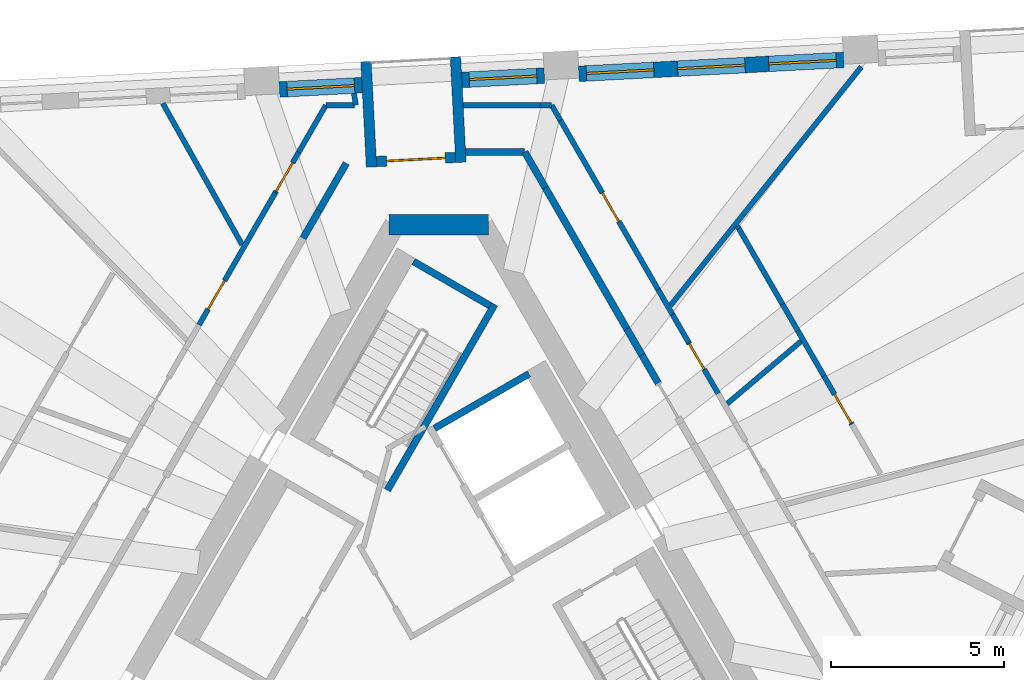
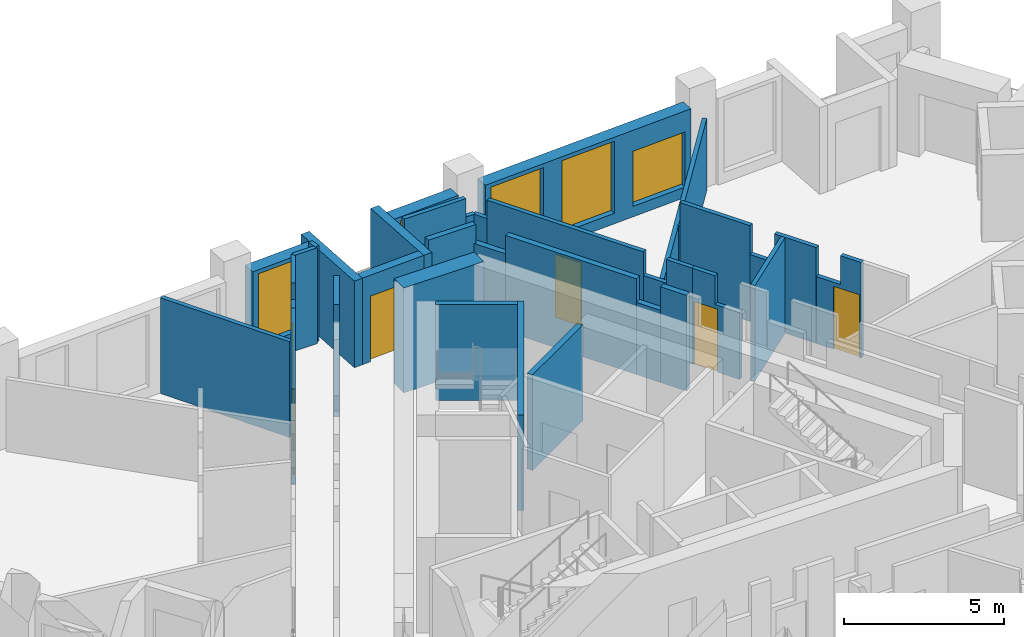
# One storey, part 7 of 12: 37 walls, 6 doors, 5 windows, 11 openings.
"""IFC4 building model written with IfcOpenShell, lengths in metres."""

from ifc_helpers import new_model, si_unit, direction, frame, frame_2d, origin, place, context, subcontext, project, spatial, polyline, rectangle, outline, extrude, material, layer, layer_set, type_object, element, fill, save


model = new_model("IFC4")

# Units and contexts
model_context = context("Model", 3, precision=1e-05, world=origin(), true_north=direction((0.0, 1.0)))
body_context = subcontext(model_context, "Body", "Model", "MODEL_VIEW")
ifc_project = project(units=[si_unit("LENGTHUNIT", "METRE"), si_unit("AREAUNIT", "SQUARE_METRE"), si_unit("VOLUMEUNIT", "CUBIC_METRE"), si_unit("PLANEANGLEUNIT", "RADIAN"), si_unit("MASSUNIT", "GRAM", prefix="KILO")], contexts=[model_context])

# Site, building, storey
site_placement = place(None, origin())
site = spatial("IfcSite", under=ifc_project, at=site_placement, CompositionType="ELEMENT")
building_placement = place(site_placement, origin())
building = spatial("IfcBuilding", under=site, at=building_placement, Name="Tramontana Tower", CompositionType="ELEMENT")
storey_placement = place(building_placement, frame((0.0, 0.0, 278.39990234375)))
storey = spatial("IfcBuildingStorey", under=building, at=storey_placement, Name="L65", CompositionType="ELEMENT", Elevation=278.39990234375)

# Walls
ifc_material_1 = material(Name="Concrete 70 MPa", Category="concrete")
ifc_layer_1 = layer(ifc_material_1, 0.60009765625)
ifc_layer_set_1 = layer_set([ifc_layer_1], Name="Core wall 600 70 MPa")
wall_type_1 = type_object("IfcWallType", Name="Core wall 600 70 MPa", PredefinedType="SHEAR", material=ifc_layer_set_1)
wall_1_placement = place(storey_placement, frame((1.443359375, 10.699951171875, 0.0), z_axis=(0.0, 0.0, 1.0), x_axis=(-1.0, 0.0, 0.0)))
element("IfcWall", 1, at=wall_1_placement, inside=storey, type_object=wall_type_1, Name="Core wall C0 L65", PredefinedType="SHEAR", context=body_context, shape_type="SweptSolid", body=[
    extrude(rectangle(XDim=2.88671875, YDim=0.60009765625, at=frame_2d((1.443359375, 0.0))), origin(), (0.0, 0.0, 1.0), 4.0),
])
ifc_material_2 = material(Name="Blockwork", Category="masonry")
ifc_layer_2 = layer(ifc_material_2, 0.199951171875)
ifc_layer_set_2 = layer_set([ifc_layer_2], Name="ENTRY WALL 200")
wall_type_2 = type_object("IfcWallType", Name="ENTRY WALL 200", PredefinedType="SOLIDWALL", material=ifc_layer_set_2)
wall_2_placement = place(storey_placement, frame((-3.92041015625, 10.309814453125, 0.0), z_axis=(0.0, 0.0, 1.0), x_axis=(0.500102178127, 0.865966403178, 0.0)))
element("IfcWall", 2, at=wall_2_placement, inside=storey, type_object=wall_type_2, Name="Wall v70-ew3-10", PredefinedType="SOLIDWALL", context=body_context, shape_type="SweptSolid", body=[
    extrude(rectangle(XDim=0.927490234375, YDim=0.199951171875, at=frame_2d((0.4638671875, 0.0))), origin(), (0.0, 0.0, 1.0), 2.9501953125),
])
wall_3_placement = place(storey_placement, frame((-3.45654296875, 11.113037109375, 0.0), z_axis=(0.0, 0.0, 1.0), x_axis=(0.500036592568, 0.866004276025, 0.0)))
element("IfcWall", 3, at=wall_3_placement, inside=storey, type_object=wall_type_2, Name="Wall v70-ew3-11", PredefinedType="SOLIDWALL", context=body_context, shape_type="SweptSolid", body=[
    extrude(rectangle(XDim=1.56982421875, YDim=0.199951171875, at=frame_2d((0.784912109375, 0.0))), origin(), (0.0, 0.0, 1.0), 3.650146484375),
])
wall_4_placement = place(storey_placement, frame((0.774658203125, 12.800048828125, 0.0), z_axis=(0.0, 0.0, 1.0), x_axis=(1.0, 0.0, 0.0)))
element("IfcWall", 4, at=wall_4_placement, inside=storey, type_object=wall_type_2, Name="Wall v70-ew4", PredefinedType="SOLIDWALL", context=body_context, shape_type="SweptSolid", body=[
    extrude(rectangle(XDim=1.7080078125, YDim=0.199951171875, at=frame_2d((0.85400390625, 0.0))), origin(), (0.0, 0.0, 1.0), 3.650146484375),
])
wall_5_placement = place(storey_placement, frame((2.482666015625, 12.800048828125, 0.0), z_axis=(0.0, 0.0, 1.0), x_axis=(0.499983247966, -0.86603507536, 0.0)))
element("IfcWall", 5, at=wall_5_placement, inside=storey, type_object=wall_type_2, Name="Wall v70-ew5-0", PredefinedType="SOLIDWALL", context=body_context, shape_type="SweptSolid", body=[
    extrude(rectangle(XDim=1.1884765625, YDim=0.199951171875, at=frame_2d((0.59423828125, 0.0))), origin(), (0.0, 0.0, 1.0), 2.9501953125),
])
wall_6_placement = place(storey_placement, frame((3.076904296875, 11.770751953125, 0.0), z_axis=(0.0, 0.0, 1.0), x_axis=(0.500007683529, -0.866020967652, 0.0)))
element("IfcWall", 6, at=wall_6_placement, inside=storey, type_object=wall_type_2, Name="Wall v70-ew5-1", PredefinedType="SOLIDWALL", context=body_context, shape_type="SweptSolid", body=[
    extrude(rectangle(XDim=4.71728515625, YDim=0.199951171875, at=frame_2d((2.358642578125, 0.0))), origin(), (0.0, 0.0, 1.0), 3.650146484375),
])
wall_7_placement = place(storey_placement, frame((5.435546875, 7.685546875, 0.0), z_axis=(0.0, 0.0, 1.0), x_axis=(0.500056482814, -0.86599279096, 0.0)))
element("IfcWall", 7, at=wall_7_placement, inside=storey, type_object=wall_type_2, Name="Wall v70-ew5-2", PredefinedType="SOLIDWALL", context=body_context, shape_type="SweptSolid", body=[
    extrude(rectangle(XDim=0.86474609375, YDim=0.199951171875, at=frame_2d((0.432373046875, 0.0))), origin(), (0.0, 0.0, 1.0), 2.75),
])
wall_8_placement = place(storey_placement, frame((5.867919921875, 6.936767578125, 0.0), z_axis=(0.0, 0.0, 1.0), x_axis=(0.499857464265, -0.866107681191, 0.0)))
element("IfcWall", 8, at=wall_8_placement, inside=storey, type_object=wall_type_2, Name="Wall v70-ew5-3", PredefinedType="SOLIDWALL", context=body_context, shape_type="SweptSolid", body=[
    extrude(rectangle(XDim=0.939208984375, YDim=0.199951171875, at=frame_2d((0.4697265625, 0.0))), origin(), (0.0, 0.0, 1.0), 3.650146484375),
])

# Wall, openings, windows
ifc_material_3 = material(Name="Precast concrete 60 MPa", Category="concrete")
ifc_layer_3 = layer(ifc_material_3, 0.449951171875)
ifc_layer_set_3 = layer_set([ifc_layer_3], Name="Precast concrete 60 MPa, 450 mm")
wall_type_3 = type_object("IfcWallType", Name="EW1 Stone-faced precast wall 450", PredefinedType="SOLIDWALL", material=ifc_layer_set_3)
wall_9_placement = place(storey_placement, frame((11.697265625, 15.45849609375, 0.0), z_axis=(0.0, 0.0, 1.0), x_axis=(-0.998628023429, -0.052364786088, 0.0)))
wall_9 = element("IfcWall", 9, at=wall_9_placement, inside=storey, type_object=wall_type_3, Name="External wall L65 face 2 bay 2", PredefinedType="SOLIDWALL", context=body_context, shape_type="SweptSolid", body=[
    extrude(rectangle(XDim=7.66015625, YDim=0.449951171875, at=frame_2d((3.830078125, 0.0))), origin(), (0.0, 0.0, 1.0), 3.300048828125),
])
opening_1_placement = place(wall_9_placement, frame((0.21826171875, 0.0, 0.39990234375)))
opening_1 = element("IfcOpeningElement", 10, at=opening_1_placement, cuts=wall_9, Name="Opening M3L", PredefinedType="OPENING", context=body_context, shape_type="SweptSolid", body=[
    extrude(rectangle(XDim=1.949951171875, YDim=2.10009765625, at=frame_2d((0.97509765625, 1.050048828125))), frame((0.0, 0.23486328125, 0.0), z_axis=(0.0, -1.0, 0.0), x_axis=(1.0, 0.0, 0.0)), (0.0, 0.0, 1.0), 0.469970703125),
])
opening_2_placement = place(wall_9_placement, frame((2.855224609375, 0.0, 0.39990234375)))
opening_2 = element("IfcOpeningElement", 11, at=opening_2_placement, cuts=wall_9, Name="Opening M3", PredefinedType="OPENING", context=body_context, shape_type="SweptSolid", body=[
    extrude(rectangle(XDim=1.949951171875, YDim=2.75, at=frame_2d((0.97509765625, 1.375))), frame((0.0, 0.23486328125, 0.0), z_axis=(0.0, -1.0, 0.0), x_axis=(1.0, 0.0, 0.0)), (0.0, 0.0, 1.0), 0.469970703125),
])
opening_3_placement = place(wall_9_placement, frame((5.491943359375, 0.0, 0.39990234375)))
opening_3 = element("IfcOpeningElement", 12, at=opening_3_placement, cuts=wall_9, Name="Opening M3", PredefinedType="OPENING", context=body_context, shape_type="SweptSolid", body=[
    extrude(rectangle(XDim=1.949951171875, YDim=2.75, at=frame_2d((0.97509765625, 1.375))), frame((0.0, 0.23486328125, 0.0), z_axis=(0.0, -1.0, 0.0), x_axis=(1.0, 0.0, 0.0)), (0.0, 0.0, 1.0), 0.469970703125),
])
ifc_material_4 = material(Name="Aluminum frame, double glazing unit", Category="aluminium")
window_type_1 = type_object("IfcWindowType", Name="M3 Window 1.95 x 2.75", PartitioningType="SINGLE_PANEL", PredefinedType="WINDOW", material=ifc_material_4)
window_1_placement = place(opening_2_placement, origin())
window_1 = element("IfcWindow", 13, at=window_1_placement, inside=storey, type_object=window_type_1, Name="Window M3 L65 face 2 module 5", OverallHeight=2.75, OverallWidth=1.949951171875, PartitioningType="SINGLE_PANEL", PredefinedType="WINDOW", context=body_context, shape_type="SweptSolid", body=[
    extrude(rectangle(XDim=1.949951171875, YDim=2.75, at=frame_2d((0.97509765625, 1.375))), frame((0.0, 0.030029296875, 0.0), z_axis=(0.0, -1.0, 0.0), x_axis=(1.0, 0.0, 0.0)), (0.0, 0.0, 1.0), 0.06005859375),
])
fill(opening_2, window_1)
window_2_placement = place(opening_3_placement, origin())
window_2 = element("IfcWindow", 14, at=window_2_placement, inside=storey, type_object=window_type_1, Name="Window M3 L65 face 2 module 6", OverallHeight=2.75, OverallWidth=1.949951171875, PartitioningType="SINGLE_PANEL", PredefinedType="WINDOW", context=body_context, shape_type="SweptSolid", body=[
    extrude(rectangle(XDim=1.949951171875, YDim=2.75, at=frame_2d((0.97509765625, 1.375))), frame((0.0, 0.030029296875, 0.0), z_axis=(0.0, -1.0, 0.0), x_axis=(1.0, 0.0, 0.0)), (0.0, 0.0, 1.0), 0.06005859375),
])
fill(opening_3, window_2)
ifc_material_5 = material(Name="Aluminum frame, double glazing unit", Category="aluminium")
window_type_2 = type_object("IfcWindowType", Name="M3L Window 1.95 x 2.1", PartitioningType="SINGLE_PANEL", PredefinedType="WINDOW", material=ifc_material_5)
window_3_placement = place(opening_1_placement, origin())
window_3 = element("IfcWindow", 15, at=window_3_placement, inside=storey, type_object=window_type_2, Name="Window M3L L65 face 2 module 4", OverallHeight=2.10009765625, OverallWidth=1.949951171875, PartitioningType="SINGLE_PANEL", PredefinedType="WINDOW", context=body_context, shape_type="SweptSolid", body=[
    extrude(rectangle(XDim=1.949951171875, YDim=2.10009765625, at=frame_2d((0.97509765625, 1.050048828125))), frame((0.0, 0.030029296875, 0.0), z_axis=(0.0, -1.0, 0.0), x_axis=(1.0, 0.0, 0.0)), (0.0, 0.0, 1.0), 0.06005859375),
])
fill(opening_1, window_3)

# Wall, opening, window
wall_10_placement = place(storey_placement, frame((3.049072265625, 15.005126953125, 0.0), z_axis=(0.0, 0.0, 1.0), x_axis=(-0.998627701279, -0.052370929331, 0.0)))
wall_10 = element("IfcWall", 16, at=wall_10_placement, inside=storey, type_object=wall_type_3, Name="External wall L65 face 2 bay 3", PredefinedType="SOLIDWALL", context=body_context, shape_type="SweptSolid", body=[
    extrude(rectangle(XDim=2.38671875, YDim=0.449951171875, at=frame_2d((1.193359375, 0.0))), origin(), (0.0, 0.0, 1.0), 3.300048828125),
])
opening_4_placement = place(wall_10_placement, frame((0.21826171875, 0.0, 0.39990234375)))
opening_4 = element("IfcOpeningElement", 17, at=opening_4_placement, cuts=wall_10, Name="Opening M3", PredefinedType="OPENING", context=body_context, shape_type="SweptSolid", body=[
    extrude(rectangle(XDim=1.949951171875, YDim=2.75, at=frame_2d((0.97509765625, 1.375))), frame((0.0, 0.23486328125, 0.0), z_axis=(0.0, -1.0, 0.0), x_axis=(1.0, 0.0, 0.0)), (0.0, 0.0, 1.0), 0.469970703125),
])
window_4_placement = place(opening_4_placement, origin())
window_4 = element("IfcWindow", 18, at=window_4_placement, inside=storey, type_object=window_type_1, Name="Window M3 L65 face 2 module 7", OverallHeight=2.75, OverallWidth=1.949951171875, PartitioningType="SINGLE_PANEL", PredefinedType="WINDOW", context=body_context, shape_type="SweptSolid", body=[
    extrude(rectangle(XDim=1.949951171875, YDim=2.75, at=frame_2d((0.97509765625, 1.375))), frame((0.0, 0.030029296875, 0.0), z_axis=(0.0, -1.0, 0.0), x_axis=(1.0, 0.0, 0.0)), (0.0, 0.0, 1.0), 0.06005859375),
])
fill(opening_4, window_4)

wall_11_placement = place(storey_placement, frame((-2.21728515625, 14.729248046875, 0.0), z_axis=(0.0, 0.0, 1.0), x_axis=(-0.998627701279, -0.052370929331, 0.0)))
wall_11 = element("IfcWall", 19, at=wall_11_placement, inside=storey, type_object=wall_type_3, Name="External wall L65 face 2 bay 3", PredefinedType="SOLIDWALL", context=body_context, shape_type="SweptSolid", body=[
    extrude(rectangle(XDim=2.38671875, YDim=0.449951171875, at=frame_2d((1.193359375, 0.0))), origin(), (0.0, 0.0, 1.0), 3.300048828125),
])
opening_5_placement = place(wall_11_placement, frame((0.21826171875, 0.0, 0.39990234375)))
opening_5 = element("IfcOpeningElement", 20, at=opening_5_placement, cuts=wall_11, Name="Opening M3", PredefinedType="OPENING", context=body_context, shape_type="SweptSolid", body=[
    extrude(rectangle(XDim=1.949951171875, YDim=2.75, at=frame_2d((0.97509765625, 1.375))), frame((0.0, 0.23486328125, 0.0), z_axis=(0.0, -1.0, 0.0), x_axis=(1.0, 0.0, 0.0)), (0.0, 0.0, 1.0), 0.469970703125),
])
window_5_placement = place(opening_5_placement, origin())
window_5 = element("IfcWindow", 21, at=window_5_placement, inside=storey, type_object=window_type_1, Name="Window M3 L65 face 2 module 9", OverallHeight=2.75, OverallWidth=1.949951171875, PartitioningType="SINGLE_PANEL", PredefinedType="WINDOW", context=body_context, shape_type="SweptSolid", body=[
    extrude(rectangle(XDim=1.949951171875, YDim=2.75, at=frame_2d((0.97509765625, 1.375))), frame((0.0, 0.030029296875, 0.0), z_axis=(0.0, -1.0, 0.0), x_axis=(1.0, 0.0, 0.0)), (0.0, 0.0, 1.0), 0.06005859375),
])
fill(opening_5, window_5)

# Wall, opening, door
ifc_material_6 = material(Name="Precast concrete 60 MPa", Category="concrete")
ifc_layer_4 = layer(ifc_material_6, 0.300048828125)
ifc_layer_set_4 = layer_set([ifc_layer_4], Name="LW1 Stone-faced loggia wall 300")
wall_type_4 = type_object("IfcWallType", Name="LW1 Stone-faced loggia wall 300", PredefinedType="SOLIDWALL", material=ifc_layer_set_4)
wall_12_placement = place(storey_placement, frame((0.482421875, 12.642578125, 0.0), z_axis=(0.0, 0.0, 1.0), x_axis=(-0.998630775221, -0.052312281362, 0.0)))
wall_12 = element("IfcWall", 22, at=wall_12_placement, inside=storey, type_object=wall_type_4, Name="Loggia wall L65 G7S2.7", PredefinedType="SOLIDWALL", context=body_context, shape_type="SweptSolid", body=[
    extrude(rectangle(XDim=2.286865234375, YDim=0.300048828125, at=frame_2d((1.1435546875, 0.0))), origin(), (0.0, 0.0, 1.0), 3.300048828125),
])
opening_6_placement = place(wall_12_placement, frame((0.29345703125, 0.0, 0.0)))
opening_6 = element("IfcOpeningElement", 23, at=opening_6_placement, cuts=wall_12, Name="Opening BD-7S2-07", PredefinedType="OPENING", context=body_context, shape_type="SweptSolid", body=[
    extrude(rectangle(XDim=1.699951171875, YDim=2.5, at=frame_2d((0.85009765625, 1.25))), frame((0.0, 0.159912109375, 0.0), z_axis=(0.0, -1.0, 0.0), x_axis=(1.0, 0.0, 0.0)), (0.0, 0.0, 1.0), 0.320068359375),
])
ifc_material_7 = material(Name="Aluminum frame, double glazing unit", Category="aluminium")
door_type_1 = type_object("IfcDoorType", Name="BD3 Sliding door 1.7 x 2.5", OperationType="SLIDING_TO_LEFT", PredefinedType="DOOR", material=ifc_material_7)
door_1_placement = place(opening_6_placement, origin())
door_1 = element("IfcDoor", 24, at=door_1_placement, inside=storey, type_object=door_type_1, Name="Loggia door L65 G7S2.7", OperationType="SLIDING_TO_LEFT", OverallHeight=2.5, OverallWidth=1.699951171875, PredefinedType="DOOR", context=body_context, shape_type="SweptSolid", body=[
    extrude(rectangle(XDim=1.699951171875, YDim=2.5, at=frame_2d((0.85009765625, 1.25))), frame((0.0, 0.02490234375, 0.0), z_axis=(0.0, -1.0, 0.0), x_axis=(1.0, 0.0, 0.0)), (0.0, 0.0, 1.0), 0.050048828125),
])
fill(opening_6, door_1)

# Walls
wall_13_placement = place(storey_placement, frame((0.48046875, 15.54638671875, 0.0), z_axis=(0.0, 0.0, 1.0), x_axis=(0.052352956549, -0.998628643661, 0.0)))
element("IfcWall", 25, at=wall_13_placement, inside=storey, type_object=wall_type_4, Name="Loggia return L65 G7S2.7a", PredefinedType="SOLIDWALL", context=body_context, shape_type="SweptSolid", body=[
    extrude(rectangle(XDim=3.0498046875, YDim=0.300048828125, at=frame_2d((1.52490234375, 0.0))), origin(), (0.0, 0.0, 1.0), 3.300048828125),
])
wall_14_placement = place(storey_placement, frame((-2.102783203125, 15.4111328125, 0.0), z_axis=(0.0, 0.0, 1.0), x_axis=(0.052348771756, -0.99862886304, 0.0)))
element("IfcWall", 26, at=wall_14_placement, inside=storey, type_object=wall_type_4, Name="Loggia return L65 G7S2.7b", PredefinedType="SOLIDWALL", context=body_context, shape_type="SweptSolid", body=[
    extrude(rectangle(XDim=3.050048828125, YDim=0.300048828125, at=frame_2d((1.52490234375, 0.0))), origin(), (0.0, 0.0, 1.0), 3.300048828125),
])

# Wall, opening, door
ifc_material_8 = material(Name="Gypsum board partition")
ifc_layer_5 = layer(ifc_material_8, 0.14990234375)
ifc_layer_set_5 = layer_set([ifc_layer_5], Name="PARTITION 150")
wall_type_5 = type_object("IfcWallType", Name="PARTITION 150", PredefinedType="PARTITIONING", material=ifc_layer_set_5)
wall_15_placement = place(storey_placement, frame((-6.9248046875, 7.805908203125, 0.0), z_axis=(0.0, 0.0, 1.0), x_axis=(0.500024628788, 0.86601118388, 0.0)))
wall_15 = element("IfcWall", 27, at=wall_15_placement, inside=storey, type_object=wall_type_5, Name="Wall v70-pw00-9", PredefinedType="PARTITIONING", context=body_context, shape_type="SweptSolid", body=[
    extrude(rectangle(XDim=4.406005859375, YDim=0.14990234375, at=frame_2d((2.203125, 0.0))), origin(), (0.0, 0.0, 1.0), 3.650146484375),
])
opening_7_placement = place(wall_15_placement, frame((0.52392578125, 0.0, 0.0)))
opening_7 = element("IfcOpeningElement", 28, at=opening_7_placement, cuts=wall_15, Name="Opening B7A-03", PredefinedType="OPENING", context=body_context, shape_type="SweptSolid", body=[
    extrude(rectangle(XDim=0.949951171875, YDim=2.39990234375, at=frame_2d((0.47509765625, 1.199951171875))), frame((0.0, 0.0849609375, 0.0), z_axis=(0.0, -1.0, 0.0), x_axis=(1.0, 0.0, 0.0)), (0.0, 0.0, 1.0), 0.169921875),
])
ifc_material_9 = material(Name="Painted timber", Category="wood")
door_type_2 = type_object("IfcDoorType", Name="DOOR ROOM 950", OperationType="SINGLE_SWING_LEFT", PredefinedType="DOOR", material=ifc_material_9)
door_2_placement = place(opening_7_placement, origin())
door_2 = element("IfcDoor", 29, at=door_2_placement, inside=storey, type_object=door_type_2, Name="Door B7A-03", OperationType="SINGLE_SWING_LEFT", OverallHeight=2.39990234375, OverallWidth=0.949951171875, PredefinedType="DOOR", context=body_context, shape_type="SweptSolid", body=[
    extrude(rectangle(XDim=0.949951171875, YDim=2.39990234375, at=frame_2d((0.47509765625, 1.199951171875))), frame((0.0, 0.02490234375, 0.0), z_axis=(0.0, -1.0, 0.0), x_axis=(1.0, 0.0, 0.0)), (0.0, 0.0, 1.0), 0.050048828125),
])
fill(opening_7, door_2)

wall_16_placement = place(storey_placement, frame((-4.7216796875, 11.62158203125, 0.0), z_axis=(0.0, 0.0, 1.0), x_axis=(0.499973075538, 0.866040948072, 0.0)))
wall_16 = element("IfcWall", 30, at=wall_16_placement, inside=storey, type_object=wall_type_5, Name="Wall v70-pw00-10", PredefinedType="PARTITIONING", context=body_context, shape_type="SweptSolid", body=[
    extrude(outline(polyline([(0.0, 0.0), (1.34912109375, 0.0), (1.34912109375, 2.9501953125), (0.45458984375, 2.9501953125), (0.45458984375, 3.650146484375), (0.0, 3.650146484375), (0.0, 0.0)])), frame((0.0, 0.074951171875, 0.0), z_axis=(0.0, -1.0, 0.0), x_axis=(1.0, 0.0, 0.0)), (0.0, 0.0, 1.0), 0.14990234375),
])
opening_8_placement = place(wall_16_placement, frame((0.050048828125, 0.0, 0.0)))
opening_8 = element("IfcOpeningElement", 31, at=opening_8_placement, cuts=wall_16, Name="Opening B7A-04", PredefinedType="OPENING", context=body_context, shape_type="SweptSolid", body=[
    extrude(rectangle(XDim=0.949951171875, YDim=2.39990234375, at=frame_2d((0.47509765625, 1.199951171875))), frame((0.0, 0.0849609375, 0.0), z_axis=(0.0, -1.0, 0.0), x_axis=(1.0, 0.0, 0.0)), (0.0, 0.0, 1.0), 0.169921875),
])
door_3_placement = place(opening_8_placement, origin())
door_3 = element("IfcDoor", 32, at=door_3_placement, inside=storey, type_object=door_type_2, Name="Door B7A-04", OperationType="SINGLE_SWING_RIGHT", OverallHeight=2.39990234375, OverallWidth=0.949951171875, PredefinedType="DOOR", context=body_context, shape_type="SweptSolid", body=[
    extrude(rectangle(XDim=0.949951171875, YDim=2.39990234375, at=frame_2d((0.47509765625, 1.199951171875))), frame((0.0, 0.02490234375, 0.0), z_axis=(0.0, -1.0, 0.0), x_axis=(1.0, 0.0, 0.0)), (0.0, 0.0, 1.0), 0.050048828125),
])
fill(opening_8, door_3)

# Walls
wall_17_placement = place(storey_placement, frame((-4.047119140625, 12.7900390625, 0.0), z_axis=(0.0, 0.0, 1.0), x_axis=(0.500018540756, 0.866014699009, 0.0)))
element("IfcWall", 33, at=wall_17_placement, inside=storey, type_object=wall_type_5, Name="Wall v70-pw00-11", PredefinedType="PARTITIONING", context=body_context, shape_type="SweptSolid", body=[
    extrude(rectangle(XDim=1.5703125, YDim=0.14990234375, at=frame_2d((0.78515625, 0.0))), origin(), (0.0, 0.0, 1.0), 3.650146484375),
])
wall_18_placement = place(storey_placement, frame((-7.97119140625, 14.202392578125, 0.0), z_axis=(0.0, 0.0, 1.0), x_axis=(0.489424944671, -0.872045425155, 0.0)))
element("IfcWall", 34, at=wall_18_placement, inside=storey, type_object=wall_type_5, Name="Wall v70-pw10", PredefinedType="PARTITIONING", context=body_context, shape_type="SweptSolid", body=[
    extrude(rectangle(XDim=4.68603515625, YDim=0.14990234375, at=frame_2d((2.343017578125, 0.0))), origin(), (0.0, 0.0, 1.0), 3.650146484375),
])
wall_19_placement = place(storey_placement, frame((-3.261962890625, 14.14990234375, 0.0), z_axis=(0.0, 0.0, 1.0), x_axis=(1.0, 0.0, 0.0)))
element("IfcWall", 35, at=wall_19_placement, inside=storey, type_object=wall_type_5, Name="Wall v70-pw12", PredefinedType="PARTITIONING", context=body_context, shape_type="SweptSolid", body=[
    extrude(rectangle(XDim=0.82373046875, YDim=0.14990234375, at=frame_2d((0.411865234375, 0.0))), origin(), (0.0, 0.0, 1.0), 3.650146484375),
])
wall_20_placement = place(storey_placement, frame((-2.394287109375, 14.15478515625, 0.0), z_axis=(0.0, 0.0, 1.0), x_axis=(-0.16729669573, 0.985906595778, 0.0)))
element("IfcWall", 36, at=wall_20_placement, inside=storey, type_object=wall_type_5, Name="Wall v70-pw13", PredefinedType="PARTITIONING", context=body_context, shape_type="SweptSolid", body=[
    extrude(rectangle(XDim=0.341552734375, YDim=0.14990234375, at=frame_2d((0.1708984375, 0.0))), origin(), (0.0, 0.0, 1.0), 3.650146484375),
])
wall_21_placement = place(storey_placement, frame((0.703857421875, 14.14990234375, 0.0), z_axis=(0.0, 0.0, 1.0), x_axis=(1.0, 0.0, 0.0)))
element("IfcWall", 37, at=wall_21_placement, inside=storey, type_object=wall_type_5, Name="Wall v70-pw15-0", PredefinedType="PARTITIONING", context=body_context, shape_type="SweptSolid", body=[
    extrude(rectangle(XDim=2.216796875, YDim=0.14990234375, at=frame_2d((1.1083984375, 0.0))), origin(), (0.0, 0.0, 1.0), 3.650146484375),
])
wall_22_placement = place(storey_placement, frame((2.920654296875, 14.14990234375, 0.0), z_axis=(0.0, 0.0, 1.0), x_axis=(1.0, 0.0, 0.0)))
element("IfcWall", 38, at=wall_22_placement, inside=storey, type_object=wall_type_5, Name="Wall v70-pw15-1", PredefinedType="PARTITIONING", context=body_context, shape_type="SweptSolid", body=[
    extrude(rectangle(XDim=0.34130859375, YDim=0.14990234375, at=frame_2d((0.170654296875, 0.0))), origin(), (0.0, 0.0, 1.0), 2.9501953125),
])
wall_23_placement = place(storey_placement, frame((3.261962890625, 14.14990234375, 0.0), z_axis=(0.0, 0.0, 1.0), x_axis=(0.500115484592, -0.865958718457, 0.0)))
element("IfcWall", 39, at=wall_23_placement, inside=storey, type_object=wall_type_5, Name="Wall v70-pw18-0", PredefinedType="PARTITIONING", context=body_context, shape_type="SweptSolid", body=[
    extrude(rectangle(XDim=0.501953125, YDim=0.14990234375, at=frame_2d((0.2509765625, 0.0))), origin(), (0.0, 0.0, 1.0), 2.9501953125),
])

# Wall, opening, door
wall_24_placement = place(storey_placement, frame((3.512939453125, 13.71533203125, 0.0), z_axis=(0.0, 0.0, 1.0), x_axis=(0.500019542665, -0.866014120528, 0.0)))
wall_24 = element("IfcWall", 40, at=wall_24_placement, inside=storey, type_object=wall_type_5, Name="Wall v70-pw18-1", PredefinedType="PARTITIONING", context=body_context, shape_type="SweptSolid", body=[
    extrude(rectangle(XDim=5.643310546875, YDim=0.14990234375, at=frame_2d((2.82177734375, 0.0))), origin(), (0.0, 0.0, 1.0), 3.650146484375),
])
opening_9_placement = place(wall_24_placement, frame((2.42236328125, 0.0, 0.0)))
opening_9 = element("IfcOpeningElement", 41, at=opening_9_placement, cuts=wall_24, Name="Opening B7A-18", PredefinedType="OPENING", context=body_context, shape_type="SweptSolid", body=[
    extrude(rectangle(XDim=0.949951171875, YDim=2.39990234375, at=frame_2d((0.47509765625, 1.199951171875))), frame((0.0, 0.0849609375, 0.0), z_axis=(0.0, -1.0, 0.0), x_axis=(1.0, 0.0, 0.0)), (0.0, 0.0, 1.0), 0.169921875),
])
door_4_placement = place(opening_9_placement, origin())
door_4 = element("IfcDoor", 42, at=door_4_placement, inside=storey, type_object=door_type_2, Name="Door B7A-18", OperationType="SINGLE_SWING_RIGHT", OverallHeight=2.39990234375, OverallWidth=0.949951171875, PredefinedType="DOOR", context=body_context, shape_type="SweptSolid", body=[
    extrude(rectangle(XDim=0.949951171875, YDim=2.39990234375, at=frame_2d((0.47509765625, 1.199951171875))), frame((0.0, 0.02490234375, 0.0), z_axis=(0.0, -1.0, 0.0), x_axis=(1.0, 0.0, 0.0)), (0.0, 0.0, 1.0), 0.050048828125),
])
fill(opening_9, door_4)

# Walls
wall_25_placement = place(storey_placement, frame((6.334716796875, 8.828125, 0.0), z_axis=(0.0, 0.0, 1.0), x_axis=(0.499932737185, -0.866064234506, 0.0)))
element("IfcWall", 43, at=wall_25_placement, inside=storey, type_object=wall_type_5, Name="Wall v70-pw18-2", PredefinedType="PARTITIONING", context=body_context, shape_type="SweptSolid", body=[
    extrude(rectangle(XDim=0.83740234375, YDim=0.14990234375, at=frame_2d((0.418701171875, 0.0))), origin(), (0.0, 0.0, 1.0), 2.75),
])
wall_26_placement = place(storey_placement, frame((6.75341796875, 8.102783203125, 0.0), z_axis=(0.0, 0.0, 1.0), x_axis=(0.499882215713, -0.866093395895, 0.0)))
element("IfcWall", 44, at=wall_26_placement, inside=storey, type_object=wall_type_5, Name="Wall v70-pw18-3", PredefinedType="PARTITIONING", context=body_context, shape_type="SweptSolid", body=[
    extrude(rectangle(XDim=0.926025390625, YDim=0.14990234375, at=frame_2d((0.462890625, 0.0))), origin(), (0.0, 0.0, 1.0), 3.650146484375),
])

# Wall, opening, door
wall_27_placement = place(storey_placement, frame((7.21630859375, 7.30078125, 0.0), z_axis=(0.0, 0.0, 1.0), x_axis=(0.500056273262, -0.865992911964, 0.0)))
wall_27 = element("IfcWall", 45, at=wall_27_placement, inside=storey, type_object=wall_type_5, Name="Wall v70-pw18-4", PredefinedType="PARTITIONING", context=body_context, shape_type="SweptSolid", body=[
    extrude(outline(polyline([(0.0, 0.0), (1.709228515625, 0.0), (1.709228515625, 2.550048828125), (0.824951171875, 2.550048828125), (0.824951171875, 3.650146484375), (0.0, 3.650146484375), (0.0, 0.0)])), frame((0.0, 0.074951171875, 0.0), z_axis=(0.0, -1.0, 0.0), x_axis=(1.0, 0.0, 0.0)), (0.0, 0.0, 1.0), 0.14990234375),
])
opening_10_placement = place(wall_27_placement, frame((0.050048828125, 0.0, 0.0)))
opening_10 = element("IfcOpeningElement", 46, at=opening_10_placement, cuts=wall_27, Name="Opening B7A-15", PredefinedType="OPENING", context=body_context, shape_type="SweptSolid", body=[
    extrude(rectangle(XDim=0.85009765625, YDim=2.39990234375, at=frame_2d((0.425048828125, 1.199951171875))), frame((0.0, 0.0849609375, 0.0), z_axis=(0.0, -1.0, 0.0), x_axis=(1.0, 0.0, 0.0)), (0.0, 0.0, 1.0), 0.169921875),
])
ifc_material_10 = material(Name="Painted timber", Category="wood")
door_type_3 = type_object("IfcDoorType", Name="DOOR BATH 850", OperationType="SINGLE_SWING_LEFT", PredefinedType="DOOR", material=ifc_material_10)
door_5_placement = place(opening_10_placement, origin())
door_5 = element("IfcDoor", 47, at=door_5_placement, inside=storey, type_object=door_type_3, Name="Door B7A-15", OperationType="SINGLE_SWING_LEFT", OverallHeight=2.39990234375, OverallWidth=0.85009765625, PredefinedType="DOOR", context=body_context, shape_type="SweptSolid", body=[
    extrude(rectangle(XDim=0.85009765625, YDim=2.39990234375, at=frame_2d((0.425048828125, 1.199951171875))), frame((0.0, 0.02490234375, 0.0), z_axis=(0.0, -1.0, 0.0), x_axis=(1.0, 0.0, 0.0)), (0.0, 0.0, 1.0), 0.050048828125),
])
fill(opening_10, door_5)

# Walls
wall_28_placement = place(storey_placement, frame((6.690185546875, 8.3623046875, 0.0), z_axis=(0.0, 0.0, 1.0), x_axis=(0.624718641323, 0.780849933843, 0.0)))
element("IfcWall", 48, at=wall_28_placement, inside=storey, type_object=wall_type_5, Name="Wall v70-pw22-0", PredefinedType="PARTITIONING", context=body_context, shape_type="SweptSolid", body=[
    extrude(rectangle(XDim=8.833251953125, YDim=0.14990234375, at=frame_2d((4.41650390625, 0.0))), origin(), (0.0, 0.0, 1.0), 2.75),
])
wall_29_placement = place(storey_placement, frame((8.327880859375, 5.52587890625, 0.0), z_axis=(0.0, 0.0, 1.0), x_axis=(0.764108404466, 0.645087859306, 0.0)))
element("IfcWall", 49, at=wall_29_placement, inside=storey, type_object=wall_type_5, Name="Wall v70-pw23", PredefinedType="PARTITIONING", context=body_context, shape_type="SweptSolid", body=[
    extrude(rectangle(XDim=2.793701171875, YDim=0.14990234375, at=frame_2d((1.39697265625, 0.0))), origin(), (0.0, 0.0, 1.0), 3.650146484375),
])
wall_30_placement = place(storey_placement, frame((8.625244140625, 10.660888671875, 0.0), z_axis=(0.0, 0.0, 1.0), x_axis=(0.499332966107, -0.866410173624, 0.0)))
element("IfcWall", 50, at=wall_30_placement, inside=storey, type_object=wall_type_5, Name="Wall v70-pw24-0", PredefinedType="PARTITIONING", context=body_context, shape_type="SweptSolid", body=[
    extrude(rectangle(XDim=0.09033203125, YDim=0.14990234375, at=frame_2d((0.045166015625, 0.0))), origin(), (0.0, 0.0, 1.0), 2.75),
])
wall_31_placement = place(storey_placement, frame((8.67041015625, 10.58251953125, 0.0), z_axis=(0.0, 0.0, 1.0), x_axis=(0.499938053331, -0.866061165757, 0.0)))
element("IfcWall", 51, at=wall_31_placement, inside=storey, type_object=wall_type_5, Name="Wall v70-pw24-1", PredefinedType="PARTITIONING", context=body_context, shape_type="SweptSolid", body=[
    extrude(rectangle(XDim=2.515869140625, YDim=0.14990234375, at=frame_2d((1.2578125, 0.0))), origin(), (0.0, 0.0, 1.0), 3.650146484375),
])
wall_32_placement = place(storey_placement, frame((9.92822265625, 8.403564453125, 0.0), z_axis=(0.0, 0.0, 1.0), x_axis=(0.500176418896, -0.865923524325, 0.0)))
element("IfcWall", 52, at=wall_32_placement, inside=storey, type_object=wall_type_5, Name="Wall v70-pw24-2", PredefinedType="PARTITIONING", context=body_context, shape_type="SweptSolid", body=[
    extrude(rectangle(XDim=0.884521484375, YDim=0.14990234375, at=frame_2d((0.4423828125, 0.0))), origin(), (0.0, 0.0, 1.0), 2.550048828125),
])
wall_33_placement = place(storey_placement, frame((10.37060546875, 7.6376953125, 0.0), z_axis=(0.0, 0.0, 1.0), x_axis=(0.499983823482, -0.8660347431, 0.0)))
element("IfcWall", 53, at=wall_33_placement, inside=storey, type_object=wall_type_5, Name="Wall v70-pw24-3", PredefinedType="PARTITIONING", context=body_context, shape_type="SweptSolid", body=[
    extrude(rectangle(XDim=1.50927734375, YDim=0.14990234375, at=frame_2d((0.754638671875, 0.0))), origin(), (0.0, 0.0, 1.0), 3.650146484375),
])

# Wall, opening, door
wall_34_placement = place(storey_placement, frame((11.125244140625, 6.33056640625, 0.0), z_axis=(0.0, 0.0, 1.0), x_axis=(0.500058405483, -0.865991680737, 0.0)))
wall_34 = element("IfcWall", 54, at=wall_34_placement, inside=storey, type_object=wall_type_5, Name="Wall v70-pw24-4", PredefinedType="PARTITIONING", context=body_context, shape_type="SweptSolid", body=[
    extrude(outline(polyline([(0.0, 0.0), (1.614501953125, 0.0), (1.614501953125, 3.650146484375), (0.875732421875, 3.650146484375), (0.875732421875, 2.550048828125), (0.0, 2.550048828125), (0.0, 0.0)])), frame((0.0, 0.074951171875, 0.0), z_axis=(0.0, -1.0, 0.0), x_axis=(1.0, 0.0, 0.0)), (0.0, 0.0, 1.0), 0.14990234375),
])
opening_11_placement = place(wall_34_placement, frame((0.614501953125, 0.0, 0.0)))
opening_11 = element("IfcOpeningElement", 55, at=opening_11_placement, cuts=wall_34, Name="Opening B7A-20", PredefinedType="OPENING", context=body_context, shape_type="SweptSolid", body=[
    extrude(rectangle(XDim=0.949951171875, YDim=2.39990234375, at=frame_2d((0.47509765625, 1.199951171875))), frame((0.0, 0.0849609375, 0.0), z_axis=(0.0, -1.0, 0.0), x_axis=(1.0, 0.0, 0.0)), (0.0, 0.0, 1.0), 0.169921875),
])
door_6_placement = place(opening_11_placement, origin())
door_6 = element("IfcDoor", 56, at=door_6_placement, inside=storey, type_object=door_type_2, Name="Door B7A-20", OperationType="SINGLE_SWING_RIGHT", OverallHeight=2.39990234375, OverallWidth=0.949951171875, PredefinedType="DOOR", context=body_context, shape_type="SweptSolid", body=[
    extrude(rectangle(XDim=0.949951171875, YDim=2.39990234375, at=frame_2d((0.47509765625, 1.199951171875))), frame((0.0, 0.02490234375, 0.0), z_axis=(0.0, -1.0, 0.0), x_axis=(1.0, 0.0, 0.0)), (0.0, 0.0, 1.0), 0.050048828125),
])
fill(opening_11, door_6)

# Walls
ifc_material_11 = material(Name="Concrete 70 MPa", Category="concrete")
ifc_layer_6 = layer(ifc_material_11, 0.199951171875)
ifc_layer_set_6 = layer_set([ifc_layer_6], Name="Concrete 70 MPa, 200 mm")
wall_type_6 = type_object("IfcWallType", Name="RC STAIR AND SHAFT WALL 200", PredefinedType="SOLIDWALL", material=ifc_layer_set_6)
wall_35_placement = place(storey_placement, frame((1.615234375, 8.3974609375, 0.0), z_axis=(0.0, 0.0, 1.0), x_axis=(-0.500009909098, -0.866019682689, 0.0)))
element("IfcWall", 57, at=wall_35_placement, inside=storey, type_object=wall_type_6, Name="Wall st1-front", PredefinedType="SOLIDWALL", context=body_context, shape_type="SweptSolid", body=[
    extrude(rectangle(XDim=6.199951171875, YDim=0.199951171875, at=frame_2d((3.10009765625, 0.0))), origin(), (0.0, 0.0, 1.0), 3.650146484375),
])
wall_36_placement = place(storey_placement, frame((1.478515625, 8.36083984375, 0.0), z_axis=(0.0, 0.0, 1.0), x_axis=(-0.865989465428, 0.500062241894, 0.0)))
element("IfcWall", 58, at=wall_36_placement, inside=storey, type_object=wall_type_6, Name="Wall st1-far", PredefinedType="SOLIDWALL", context=body_context, shape_type="SweptSolid", body=[
    extrude(rectangle(XDim=2.550048828125, YDim=0.199951171875, at=frame_2d((1.27490234375, 0.0))), origin(), (0.0, 0.0, 1.0), 3.650146484375),
])
wall_37_placement = place(storey_placement, frame((-0.123046875, 4.813232421875, 0.0), z_axis=(0.0, 0.0, 1.0), x_axis=(0.866016494683, 0.500015430699, 0.0)))
element("IfcWall", 59, at=wall_37_placement, inside=storey, type_object=wall_type_6, Name="Wall row2-side2", PredefinedType="SOLIDWALL", context=body_context, shape_type="SweptSolid", body=[
    extrude(rectangle(XDim=3.14990234375, YDim=0.199951171875, at=frame_2d((1.574951171875, 0.0))), origin(), (0.0, 0.0, 1.0), 3.650146484375),
])

save(model, "model.ifc")
